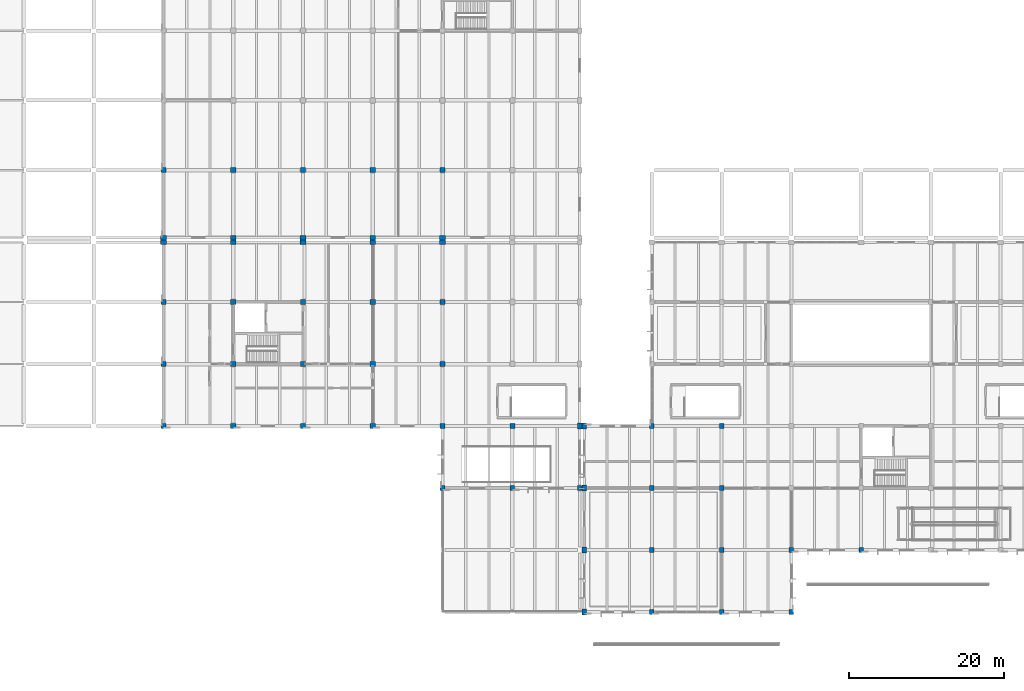
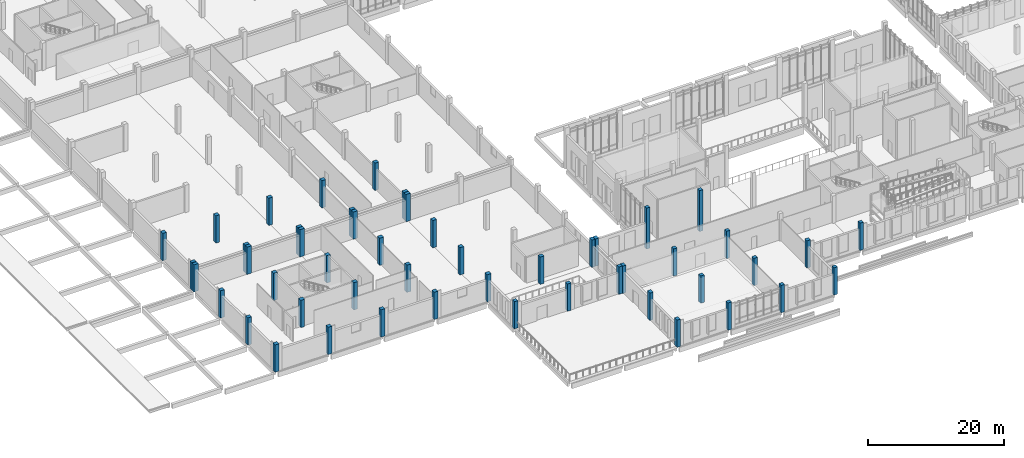
# One storey, part 1 of 110: 50 columns.
"""IFC4 building model written with IfcOpenShell, lengths in metres."""

from ifc_helpers import new_model, si_unit, direction, frame, origin, origin_2d, place, context, subcontext, project, spatial, rectangle, extrude, material, material_profile, profile_set, type_object, element, save


model = new_model("IFC4")

# Units and contexts
model_context = context("Model", 3, precision=1e-05, world=origin(), true_north=direction((0.0, 1.0)))
body_context = subcontext(model_context, "Body", "Model", "MODEL_VIEW")
ifc_project = project(units=[si_unit("LENGTHUNIT", "METRE"), si_unit("AREAUNIT", "SQUARE_METRE"), si_unit("VOLUMEUNIT", "CUBIC_METRE"), si_unit("PLANEANGLEUNIT", "RADIAN"), si_unit("MASSUNIT", "GRAM", prefix="KILO")], contexts=[model_context])

# Site, building, storey
site_placement = place(None, origin())
site = spatial("IfcSite", under=ifc_project, at=site_placement, CompositionType="ELEMENT")
building_placement = place(site_placement, origin())
building = spatial("IfcBuilding", under=site, at=building_placement, Name="Zacnel Wholesale Market", CompositionType="ELEMENT")
storey_placement = place(building_placement, frame((0.0, 0.0, 6.300048828125)))
storey = spatial("IfcBuildingStorey", under=building, at=storey_placement, Name="L02", CompositionType="ELEMENT", Elevation=6.300048828125)

# Columns
ifc_material_1 = material(Name="Precast concrete C45/55", Category="concrete")
ifc_material_profile_1 = material_profile(ifc_material_1, rectangle(XDim=0.550048828125, YDim=0.75, at=origin_2d()), Name="PC 550x750")
ifc_profile_set_1 = profile_set([ifc_material_profile_1], Name="Precast concrete C45/55")
column_type_1 = type_object("IfcColumnType", Name="COL-MJ550X750", PredefinedType="COLUMN", material=ifc_profile_set_1)
for number, where, z_axis, x_axis, name in (
    (1, (71.699951171875, 24.0, 0.0), (0.0, 0.0, 1.0), (1.0, 0.0, 0.0), "Precast column L02-0442"),
    (2, (72.300048828125, 0.0, 0.0), (0.0, 0.0, 1.0), (1.0, 0.0, 0.0), "Precast column L02-0457"),
    (3, (72.300048828125, 8.0, 0.0), (0.0, 0.0, 1.0), (1.0, 0.0, 0.0), "Precast column L02-0458"),
    (4, (72.300048828125, 16.0, 0.0), (0.0, 0.0, 1.0), (1.0, 0.0, 0.0), "Precast column L02-0459"),
    (5, (72.300048828125, 24.0, 0.0), (0.0, 0.0, 1.0), (1.0, 0.0, 0.0), "Precast column L02-0460"),
):
    element("IfcColumn", number, at=place(storey_placement, frame(where, z_axis=z_axis, x_axis=x_axis)), inside=storey, type_object=column_type_1, Name=name, PredefinedType="COLUMN", context=body_context, shape_type="SweptSolid", body=[
        extrude(rectangle(XDim=0.550048828125, YDim=0.75, at=origin_2d()), origin(), (0.0, 0.0, 1.0), 4.89990234375),
    ])
ifc_material_2 = material(Name="Precast concrete C45/55", Category="concrete")
ifc_material_profile_2 = material_profile(ifc_material_2, rectangle(XDim=0.75, YDim=0.550048828125, at=origin_2d()), Name="PC 750x550")
ifc_profile_set_2 = profile_set([ifc_material_profile_2], Name="Precast concrete C45/55")
column_type_2 = type_object("IfcColumnType", Name="COL-MJ750X550", PredefinedType="COLUMN", material=ifc_profile_set_2)
for number, where, z_axis, x_axis, name in (
    (6, (18.0, 47.699951171875, 0.0), (0.0, 0.0, 1.0), (1.0, 0.0, 0.0), "Precast column L02-0355"),
    (7, (18.0, 48.300048828125, 0.0), (0.0, 0.0, 1.0), (1.0, 0.0, 0.0), "Precast column L02-0356"),
    (8, (27.0, 47.699951171875, 0.0), (0.0, 0.0, 1.0), (1.0, 0.0, 0.0), "Precast column L02-0370"),
    (9, (27.0, 48.300048828125, 0.0), (0.0, 0.0, 1.0), (1.0, 0.0, 0.0), "Precast column L02-0371"),
    (10, (36.0, 47.699951171875, 0.0), (0.0, 0.0, 1.0), (1.0, 0.0, 0.0), "Precast column L02-0385"),
    (11, (36.0, 48.300048828125, 0.0), (0.0, 0.0, 1.0), (1.0, 0.0, 0.0), "Precast column L02-0386"),
    (12, (45.0, 47.699951171875, 0.0), (0.0, 0.0, 1.0), (1.0, 0.0, 0.0), "Precast column L02-0400"),
    (13, (45.0, 48.300048828125, 0.0), (0.0, 0.0, 1.0), (1.0, 0.0, 0.0), "Precast column L02-0401"),
    (14, (54.0, 47.699951171875, 0.0), (0.0, 0.0, 1.0), (1.0, 0.0, 0.0), "Precast column L02-0415"),
    (15, (54.0, 48.300048828125, 0.0), (0.0, 0.0, 1.0), (1.0, 0.0, 0.0), "Precast column L02-0416"),
):
    element("IfcColumn", number, at=place(storey_placement, frame(where, z_axis=z_axis, x_axis=x_axis)), inside=storey, type_object=column_type_2, Name=name, PredefinedType="COLUMN", context=body_context, shape_type="SweptSolid", body=[
        extrude(rectangle(XDim=0.75, YDim=0.550048828125, at=origin_2d()), origin(), (0.0, 0.0, 1.0), 4.89990234375),
    ])
ifc_material_3 = material(Name="Precast concrete C45/55", Category="concrete")
ifc_material_profile_3 = material_profile(ifc_material_3, rectangle(XDim=0.60009765625, YDim=0.60009765625, at=origin_2d()), Name="PC 600x600")
ifc_profile_set_3 = profile_set([ifc_material_profile_3], Name="Precast concrete C45/55")
column_type_3 = type_object("IfcColumnType", Name="COL-PC600", PredefinedType="COLUMN", material=ifc_profile_set_3)
for number, where, z_axis, x_axis, name in (
    (16, (81.0, 0.0, 0.0), (0.0, 0.0, 1.0), (1.0, 0.0, 0.0), "Precast column L02-0464"),
    (17, (81.0, 8.0, 0.0), (0.0, 0.0, 1.0), (1.0, 0.0, 0.0), "Precast column L02-0465"),
    (18, (81.0, 16.0, 0.0), (0.0, 0.0, 1.0), (1.0, 0.0, 0.0), "Precast column L02-0466"),
):
    element("IfcColumn", number, at=place(storey_placement, frame(where, z_axis=z_axis, x_axis=x_axis)), inside=storey, type_object=column_type_3, Name=name, PredefinedType="COLUMN", context=body_context, shape_type="SweptSolid", body=[
        extrude(rectangle(XDim=0.60009765625, YDim=0.60009765625, at=origin_2d()), origin(), (0.0, 0.0, 1.0), 4.89990234375),
    ])
column_1_placement = place(storey_placement, frame((81.0, 24.0, 0.0), z_axis=(0.0, 0.0, 1.0), x_axis=(1.0, 0.0, 0.0)))
element("IfcColumn", 19, at=column_1_placement, inside=storey, type_object=column_type_3, Name="Precast column L02-0467", PredefinedType="COLUMN", context=body_context, shape_type="SweptSolid", body=[
    extrude(rectangle(XDim=0.60009765625, YDim=0.60009765625, at=origin_2d()), origin(), (0.0, 0.0, 1.0), 7.349853515625),
])
for number, where, z_axis, x_axis, name in (
    (20, (90.0, 0.0, 0.0), (0.0, 0.0, 1.0), (1.0, 0.0, 0.0), "Precast column L02-0474"),
    (21, (90.0, 8.0, 0.0), (0.0, 0.0, 1.0), (1.0, 0.0, 0.0), "Precast column L02-0475"),
    (22, (90.0, 16.0, 0.0), (0.0, 0.0, 1.0), (1.0, 0.0, 0.0), "Precast column L02-0476"),
):
    element("IfcColumn", number, at=place(storey_placement, frame(where, z_axis=z_axis, x_axis=x_axis)), inside=storey, type_object=column_type_3, Name=name, PredefinedType="COLUMN", context=body_context, shape_type="SweptSolid", body=[
        extrude(rectangle(XDim=0.60009765625, YDim=0.60009765625, at=origin_2d()), origin(), (0.0, 0.0, 1.0), 4.89990234375),
    ])
column_2_placement = place(storey_placement, frame((90.0, 24.0, 0.0), z_axis=(0.0, 0.0, 1.0), x_axis=(1.0, 0.0, 0.0)))
element("IfcColumn", 23, at=column_2_placement, inside=storey, type_object=column_type_3, Name="Precast column L02-0477", PredefinedType="COLUMN", context=body_context, shape_type="SweptSolid", body=[
    extrude(rectangle(XDim=0.60009765625, YDim=0.60009765625, at=origin_2d()), origin(), (0.0, 0.0, 1.0), 7.349853515625),
])
for number, where, z_axis, x_axis, name in (
    (24, (99.0, 0.0, 0.0), (0.0, 0.0, 1.0), (1.0, 0.0, 0.0), "Precast column L02-0484"),
    (25, (99.0, 8.0, 0.0), (0.0, 0.0, 1.0), (1.0, 0.0, 0.0), "Precast column L02-0485"),
    (26, (108.0, 8.0, 0.0), (0.0, 0.0, 1.0), (1.0, 0.0, 0.0), "Precast column L02-0494"),
    (27, (54.0, 16.0, 0.0), (0.0, 0.0, 1.0), (1.0, 0.0, 0.0), "Precast wing column V4WL2-001"),
    (28, (63.0, 16.0, 0.0), (0.0, 0.0, 1.0), (1.0, 0.0, 0.0), "Precast wing column V4WL2-002"),
    (29, (71.699951171875, 16.0, 0.0), (0.0, 0.0, 1.0), (1.0, 0.0, 0.0), "Precast wing column V4WL2-003"),
):
    element("IfcColumn", number, at=place(storey_placement, frame(where, z_axis=z_axis, x_axis=x_axis)), inside=storey, type_object=column_type_3, Name=name, PredefinedType="COLUMN", context=body_context, shape_type="SweptSolid", body=[
        extrude(rectangle(XDim=0.60009765625, YDim=0.60009765625, at=origin_2d()), origin(), (0.0, 0.0, 1.0), 4.89990234375),
    ])
ifc_material_4 = material(Name="Precast concrete C45/55", Category="concrete")
ifc_material_profile_4 = material_profile(ifc_material_4, rectangle(XDim=0.64990234375, YDim=0.64990234375, at=origin_2d()), Name="PC 650x650")
ifc_profile_set_4 = profile_set([ifc_material_profile_4], Name="Precast concrete C45/55")
column_type_4 = type_object("IfcColumnType", Name="COL-PC650", PredefinedType="COLUMN", material=ifc_profile_set_4)
for number, where, z_axis, x_axis, name in (
    (30, (18.0, 24.0, 0.0), (0.0, 0.0, 1.0), (1.0, 0.0, 0.0), "Precast column L02-0352"),
    (31, (18.0, 32.0, 0.0), (0.0, 0.0, 1.0), (1.0, 0.0, 0.0), "Precast column L02-0353"),
    (32, (18.0, 40.0, 0.0), (0.0, 0.0, 1.0), (1.0, 0.0, 0.0), "Precast column L02-0354"),
    (33, (18.0, 57.0, 0.0), (0.0, 0.0, 1.0), (1.0, 0.0, 0.0), "Precast column L02-0357"),
    (34, (27.0, 24.0, 0.0), (0.0, 0.0, 1.0), (1.0, 0.0, 0.0), "Precast column L02-0367"),
    (35, (27.0, 32.0, 0.0), (0.0, 0.0, 1.0), (1.0, 0.0, 0.0), "Precast column L02-0368"),
    (36, (27.0, 40.0, 0.0), (0.0, 0.0, 1.0), (1.0, 0.0, 0.0), "Precast column L02-0369"),
    (37, (27.0, 57.0, 0.0), (0.0, 0.0, 1.0), (1.0, 0.0, 0.0), "Precast column L02-0372"),
    (38, (36.0, 24.0, 0.0), (0.0, 0.0, 1.0), (1.0, 0.0, 0.0), "Precast column L02-0382"),
    (39, (36.0, 32.0, 0.0), (0.0, 0.0, 1.0), (1.0, 0.0, 0.0), "Precast column L02-0383"),
    (40, (36.0, 40.0, 0.0), (0.0, 0.0, 1.0), (1.0, 0.0, 0.0), "Precast column L02-0384"),
    (41, (36.0, 57.0, 0.0), (0.0, 0.0, 1.0), (1.0, 0.0, 0.0), "Precast column L02-0387"),
    (42, (45.0, 24.0, 0.0), (0.0, 0.0, 1.0), (1.0, 0.0, 0.0), "Precast column L02-0397"),
    (43, (45.0, 32.0, 0.0), (0.0, 0.0, 1.0), (1.0, 0.0, 0.0), "Precast column L02-0398"),
    (44, (45.0, 40.0, 0.0), (0.0, 0.0, 1.0), (1.0, 0.0, 0.0), "Precast column L02-0399"),
    (45, (45.0, 57.0, 0.0), (0.0, 0.0, 1.0), (1.0, 0.0, 0.0), "Precast column L02-0402"),
    (46, (54.0, 24.0, 0.0), (0.0, 0.0, 1.0), (1.0, 0.0, 0.0), "Precast column L02-0412"),
    (47, (54.0, 32.0, 0.0), (0.0, 0.0, 1.0), (1.0, 0.0, 0.0), "Precast column L02-0413"),
    (48, (54.0, 40.0, 0.0), (0.0, 0.0, 1.0), (1.0, 0.0, 0.0), "Precast column L02-0414"),
    (49, (54.0, 57.0, 0.0), (0.0, 0.0, 1.0), (1.0, 0.0, 0.0), "Precast column L02-0417"),
    (50, (63.0, 24.0, 0.0), (0.0, 0.0, 1.0), (1.0, 0.0, 0.0), "Precast column L02-0427"),
):
    element("IfcColumn", number, at=place(storey_placement, frame(where, z_axis=z_axis, x_axis=x_axis)), inside=storey, type_object=column_type_4, Name=name, PredefinedType="COLUMN", context=body_context, shape_type="SweptSolid", body=[
        extrude(rectangle(XDim=0.64990234375, YDim=0.64990234375, at=origin_2d()), origin(), (0.0, 0.0, 1.0), 4.89990234375),
    ])

save(model, "model.ifc")
